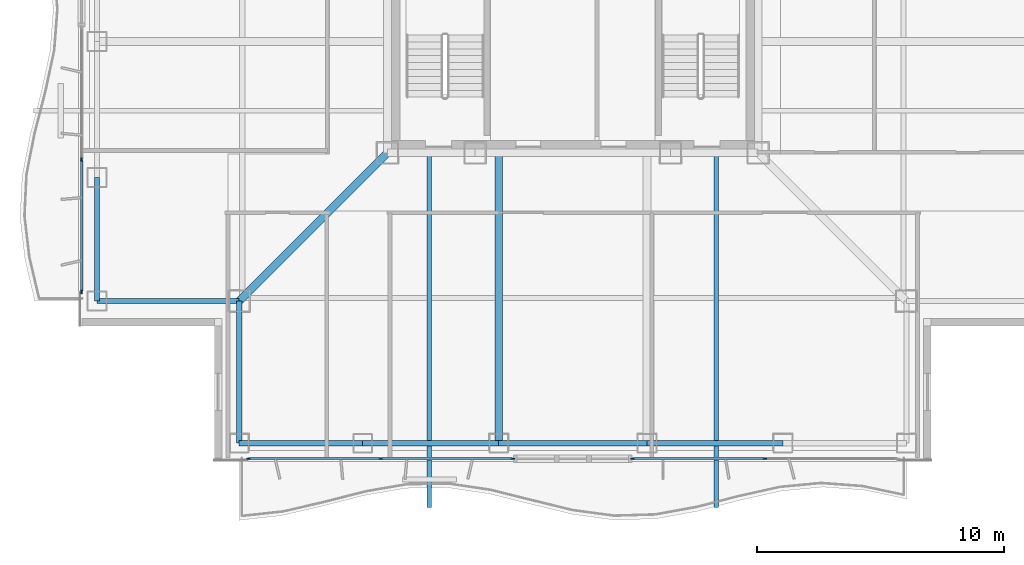
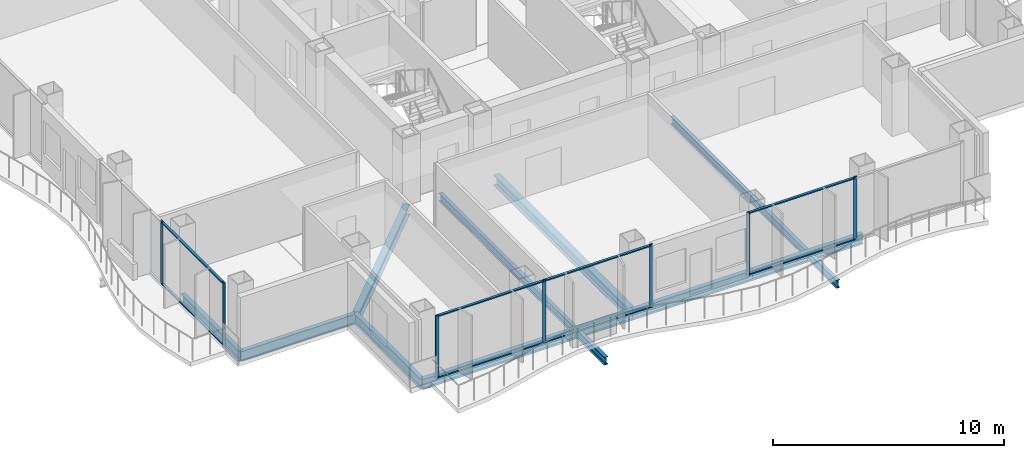
# One storey, part 2 of 16: 15 members, 11 beams, 3 elements without a shape of their own.
"""IFC4 building model written with IfcOpenShell, lengths in metres."""

from ifc_helpers import new_model, si_unit, direction, frame, origin, origin_2d, place, context, subcontext, project, spatial, rectangle, i_section, extrude, material, layer, layer_set, material_profile, profile_set, type_object, element, aggregate, save


model = new_model("IFC4")

# Units and contexts
model_context = context("Model", 3, precision=1e-05, world=origin(), true_north=direction((0.0, 1.0)))
body_context = subcontext(model_context, "Body", "Model", "MODEL_VIEW")
ifc_project = project(units=[si_unit("LENGTHUNIT", "METRE"), si_unit("AREAUNIT", "SQUARE_METRE"), si_unit("VOLUMEUNIT", "CUBIC_METRE"), si_unit("PLANEANGLEUNIT", "RADIAN"), si_unit("MASSUNIT", "GRAM", prefix="KILO")], contexts=[model_context])

# Site, building, storey
site_placement = place(None, origin())
site = spatial("IfcSite", under=ifc_project, at=site_placement, CompositionType="ELEMENT")
building_placement = place(site_placement, origin())
building = spatial("IfcBuilding", under=site, at=building_placement, Name="Trevonay Congress Spire", CompositionType="ELEMENT")
storey_placement = place(building_placement, frame((0.0, 0.0, 195.0)))
storey = spatial("IfcBuildingStorey", under=building, at=storey_placement, Name="L50", CompositionType="ELEMENT", Elevation=195.0)

# Beams
ifc_material_1 = material(Name="Steel ASTM A572 Grade 50", Category="steel")
ifc_material_profile_1 = material_profile(ifc_material_1, i_section(OverallWidth=0.31201171875, OverallDepth=0.54296875, WebThickness=0.0126953125, FlangeThickness=0.020263671875, FilletRadius=0.014892578125, at=origin_2d()), Name="W530x150")
ifc_profile_set_1 = profile_set([ifc_material_profile_1], Name="Steel ASTM A572 Grade 50")
beam_type_1 = type_object("IfcBeamType", Name="BM-GIRD-W530X150", PredefinedType="BEAM", material=ifc_profile_set_1)
beam_1_placement = place(storey_placement, frame((-7.5, -7.5, -0.511474609375), z_axis=(-0.707106781187, -0.707106781187, 0.0), x_axis=(0.707106781187, -0.707106781187, 0.0)))
element("IfcBeam", 1, at=beam_1_placement, inside=storey, type_object=beam_type_1, Name="L50 structural beam BM-L50-CDSW", PredefinedType="BEAM", context=body_context, shape_type="SweptSolid", body=[
    extrude(i_section(OverallWidth=0.31201171875, OverallDepth=0.54296875, WebThickness=0.0126953125, FlangeThickness=0.020263671875, FilletRadius=0.014892578125, at=origin_2d()), origin(), (0.0, 0.0, 1.0), 8.4853515625),
])
beam_2_placement = place(storey_placement, frame((-3.0, -7.5, -0.511474609375), z_axis=(0.0, -1.0, 0.0), x_axis=(1.0, 0.0, 0.0)))
element("IfcBeam", 2, at=beam_2_placement, inside=storey, type_object=beam_type_1, Name="L50 structural beam BM-L50-GS-M", PredefinedType="BEAM", context=body_context, shape_type="SweptSolid", body=[
    extrude(i_section(OverallWidth=0.31201171875, OverallDepth=0.54296875, WebThickness=0.0126953125, FlangeThickness=0.020263671875, FilletRadius=0.014892578125, at=origin_2d()), origin(), (0.0, 0.0, 1.0), 11.75),
])
ifc_material_profile_2 = material_profile(ifc_material_1, i_section(OverallWidth=0.2119140625, OverallDepth=0.5439453125, WebThickness=0.01318359375, FlangeThickness=0.021240234375, FilletRadius=0.014892578125, at=origin_2d()), Name="W530x123")
ifc_profile_set_2 = profile_set([ifc_material_profile_2], Name="Steel ASTM A572 Grade 50")
beam_type_2 = type_object("IfcBeamType", Name="BM-RING-W530X123", PredefinedType="BEAM", material=ifc_profile_set_2)
for number, where, z_axis, x_axis, name in (
    (3, (-13.5, -19.25, -0.511962890625), (1.0, 0.0, 0.0), (0.0, 1.0, 0.0), "L50 structural beam BM-L50-PS1"),
    (4, (-19.25, -13.5, -0.511962890625), (0.0, 1.0, 0.0), (-1.0, 0.0, 0.0), "L50 structural beam BM-L50-PW1"),
):
    element("IfcBeam", number, at=place(storey_placement, frame(where, z_axis=z_axis, x_axis=x_axis)), inside=storey, type_object=beam_type_2, Name=name, PredefinedType="BEAM", context=body_context, shape_type="SweptSolid", body=[
        extrude(i_section(OverallWidth=0.2119140625, OverallDepth=0.5439453125, WebThickness=0.01318359375, FlangeThickness=0.021240234375, FilletRadius=0.014892578125, at=origin_2d()), origin(), (0.0, 0.0, 1.0), 5.0),
    ])
beam_3_placement = place(storey_placement, frame((-8.5, -19.25, -0.511962890625), z_axis=(1.0, 0.0, 0.0), x_axis=(0.0, 1.0, 0.0)))
element("IfcBeam", 5, at=beam_3_placement, inside=storey, type_object=beam_type_2, Name="L50 structural beam BM-L50-PS2", PredefinedType="BEAM", context=body_context, shape_type="SweptSolid", body=[
    extrude(i_section(OverallWidth=0.2119140625, OverallDepth=0.5439453125, WebThickness=0.01318359375, FlangeThickness=0.021240234375, FilletRadius=0.014892578125, at=origin_2d()), origin(), (0.0, 0.0, 1.0), 5.5),
])
beam_4_placement = place(storey_placement, frame((-3.0, -19.25, -0.511962890625), z_axis=(1.0, 0.0, 0.0), x_axis=(0.0, 1.0, 0.0)))
element("IfcBeam", 6, at=beam_4_placement, inside=storey, type_object=beam_type_2, Name="L50 structural beam BM-L50-PS3", PredefinedType="BEAM", context=body_context, shape_type="SweptSolid", body=[
    extrude(i_section(OverallWidth=0.2119140625, OverallDepth=0.5439453125, WebThickness=0.01318359375, FlangeThickness=0.021240234375, FilletRadius=0.014892578125, at=origin_2d()), origin(), (0.0, 0.0, 1.0), 6.0),
])
beam_5_placement = place(storey_placement, frame((3.0, -19.25, -0.511962890625), z_axis=(1.0, 0.0, 0.0), x_axis=(0.0, 1.0, 0.0)))
element("IfcBeam", 7, at=beam_5_placement, inside=storey, type_object=beam_type_2, Name="L50 structural beam BM-L50-PS4", PredefinedType="BEAM", context=body_context, shape_type="SweptSolid", body=[
    extrude(i_section(OverallWidth=0.2119140625, OverallDepth=0.5439453125, WebThickness=0.01318359375, FlangeThickness=0.021240234375, FilletRadius=0.014892578125, at=origin_2d()), origin(), (0.0, 0.0, 1.0), 5.5),
])
for number, where, z_axis, x_axis, name in (
    (8, (-13.5, -19.25, -0.511962890625), (0.0, 1.0, 0.0), (-1.0, 0.0, 0.0), "L50 structural beam BM-L50-N1SW"),
    (9, (-19.25, -13.5, -0.511962890625), (1.0, 0.0, 0.0), (0.0, 1.0, 0.0), "L50 structural beam BM-L50-N2SW"),
):
    element("IfcBeam", number, at=place(storey_placement, frame(where, z_axis=z_axis, x_axis=x_axis)), inside=storey, type_object=beam_type_2, Name=name, PredefinedType="BEAM", context=body_context, shape_type="SweptSolid", body=[
        extrude(i_section(OverallWidth=0.2119140625, OverallDepth=0.5439453125, WebThickness=0.01318359375, FlangeThickness=0.021240234375, FilletRadius=0.014892578125, at=origin_2d()), origin(), (0.0, 0.0, 1.0), 5.75),
    ])
ifc_material_profile_3 = material_profile(ifc_material_1, i_section(OverallWidth=0.180908203125, OverallDepth=0.4169921875, WebThickness=0.010986328125, FlangeThickness=0.018310546875, FilletRadius=0.012939453125, at=origin_2d()), Name="W410x85")
ifc_profile_set_3 = profile_set([ifc_material_profile_3], Name="Steel ASTM A572 Grade 50")
beam_type_3 = type_object("IfcBeamType", Name="BM-WAV-LOOKOUT", PredefinedType="BEAM", material=ifc_profile_set_3)
for number, where, z_axis, x_axis, name in (
    (10, (-5.800048828125, -7.5, -0.448486328125), (0.0, -1.0, 0.0), (1.0, 0.0, 0.0), "L50 structural beam WLK-L50-S1"),
    (11, (5.800048828125, -7.5, -0.448486328125), (0.0, -1.0, 0.0), (1.0, 0.0, 0.0), "L50 structural beam WLK-L50-S2"),
):
    element("IfcBeam", number, at=place(storey_placement, frame(where, z_axis=z_axis, x_axis=x_axis)), inside=storey, type_object=beam_type_3, Name=name, PredefinedType="BEAM", context=body_context, shape_type="SweptSolid", body=[
        extrude(i_section(OverallWidth=0.180908203125, OverallDepth=0.4169921875, WebThickness=0.010986328125, FlangeThickness=0.018310546875, FilletRadius=0.012939453125, at=origin_2d()), origin(), (0.0, 0.0, 1.0), 14.35009765625),
    ])

# Curtain wall, members
ifc_material_2 = material(Name="Pale Anodised Aluminium EN AW-6063-T6", Category="aluminium")
ifc_layer = layer(ifc_material_2, 0.169921875, Name="Pale Anodised Aluminium EN AW-6063-T6")
ifc_layer_set = layer_set([ifc_layer], Name="Pale Anodised Aluminium EN AW-6063-T6")
curtain_wall_type = type_object("IfcCurtainWallType", Name="CW-SYS04-CORP-PALE-METAL", PredefinedType="NOTDEFINED", material=ifc_layer_set)
curtain_wall_1_placement = place(storey_placement, origin())
curtain_wall_1 = element("IfcCurtainWall", 12, at=curtain_wall_1_placement, inside=storey, type_object=curtain_wall_type, Name="L50 SA unitised curtain wall", PredefinedType="NOTDEFINED")
ifc_material_profile_4 = material_profile(ifc_material_2, rectangle(XDim=0.06005859375, YDim=0.159912109375, at=origin_2d()), Name="CW-MULLION-160-ALUMINIUM")
ifc_profile_set_4 = profile_set([ifc_material_profile_4], Name="Pale Anodised Aluminium EN AW-6063-T6")
member_type_1 = type_object("IfcMemberType", Name="CW-MULLION-160-ALUMINIUM", PredefinedType="MULLION", material=ifc_profile_set_4)
member_1_placement = place(storey_placement, frame((-13.1201171875, -19.8798828125, 0.0), z_axis=(0.0, 0.0, 1.0), x_axis=(0.0, 1.0, 0.0)))
member_1 = element("IfcMember", 13, at=member_1_placement, type_object=member_type_1, Name="CW04 mullion 1", PredefinedType="MULLION", context=body_context, shape_type="SweptSolid", body=[
    extrude(rectangle(XDim=0.06005859375, YDim=0.159912109375, at=origin_2d()), origin(), (0.0, 0.0, 1.0), 3.360107421875),
])
member_2_placement = place(storey_placement, frame((-7.77490234375, -19.8798828125, 0.0), z_axis=(0.0, 0.0, 1.0), x_axis=(0.0, 1.0, 0.0)))
member_2 = element("IfcMember", 14, at=member_2_placement, type_object=member_type_1, Name="CW04 mullion 2", PredefinedType="MULLION", context=body_context, shape_type="SweptSolid", body=[
    extrude(rectangle(XDim=0.06005859375, YDim=0.159912109375, at=origin_2d()), origin(), (0.0, 0.0, 1.0), 3.360107421875),
])
member_3_placement = place(storey_placement, frame((-2.429931640625, -19.8798828125, 0.0), z_axis=(0.0, 0.0, 1.0), x_axis=(0.0, 1.0, 0.0)))
member_3 = element("IfcMember", 15, at=member_3_placement, type_object=member_type_1, Name="CW04 mullion 3", PredefinedType="MULLION", context=body_context, shape_type="SweptSolid", body=[
    extrude(rectangle(XDim=0.06005859375, YDim=0.159912109375, at=origin_2d()), origin(), (0.0, 0.0, 1.0), 3.360107421875),
])

curtain_wall_2_placement = place(storey_placement, origin())
curtain_wall_2 = element("IfcCurtainWall", 16, at=curtain_wall_2_placement, inside=storey, type_object=curtain_wall_type, Name="L50 SB unitised curtain wall", PredefinedType="NOTDEFINED")
member_4_placement = place(storey_placement, frame((2.429931640625, -19.8798828125, 0.0), z_axis=(0.0, 0.0, 1.0), x_axis=(0.0, 1.0, 0.0)))
member_4 = element("IfcMember", 17, at=member_4_placement, type_object=member_type_1, Name="CW04 mullion 1", PredefinedType="MULLION", context=body_context, shape_type="SweptSolid", body=[
    extrude(rectangle(XDim=0.06005859375, YDim=0.159912109375, at=origin_2d()), origin(), (0.0, 0.0, 1.0), 3.360107421875),
])
member_5_placement = place(storey_placement, frame((7.77490234375, -19.8798828125, 0.0), z_axis=(0.0, 0.0, 1.0), x_axis=(0.0, 1.0, 0.0)))
member_5 = element("IfcMember", 18, at=member_5_placement, type_object=member_type_1, Name="CW04 mullion 2", PredefinedType="MULLION", context=body_context, shape_type="SweptSolid", body=[
    extrude(rectangle(XDim=0.06005859375, YDim=0.159912109375, at=origin_2d()), origin(), (0.0, 0.0, 1.0), 3.360107421875),
])

curtain_wall_3_placement = place(storey_placement, origin())
curtain_wall_3 = element("IfcCurtainWall", 19, at=curtain_wall_3_placement, inside=storey, type_object=curtain_wall_type, Name="L50 WA unitised curtain wall", PredefinedType="NOTDEFINED")
member_6_placement = place(storey_placement, frame((-19.8798828125, -13.1201171875, 0.0), z_axis=(0.0, 0.0, 1.0), x_axis=(-1.0, 0.0, 0.0)))
member_6 = element("IfcMember", 20, at=member_6_placement, type_object=member_type_1, Name="CW04 mullion 1", PredefinedType="MULLION", context=body_context, shape_type="SweptSolid", body=[
    extrude(rectangle(XDim=0.06005859375, YDim=0.159912109375, at=origin_2d()), origin(), (0.0, 0.0, 1.0), 3.360107421875),
])
member_7_placement = place(storey_placement, frame((-19.8798828125, -7.77490234375, 0.0), z_axis=(0.0, 0.0, 1.0), x_axis=(-1.0, 0.0, 0.0)))
member_7 = element("IfcMember", 21, at=member_7_placement, type_object=member_type_1, Name="CW04 mullion 2", PredefinedType="MULLION", context=body_context, shape_type="SweptSolid", body=[
    extrude(rectangle(XDim=0.06005859375, YDim=0.159912109375, at=origin_2d()), origin(), (0.0, 0.0, 1.0), 3.360107421875),
])

# Member
ifc_material_profile_5 = material_profile(ifc_material_2, rectangle(XDim=0.1201171875, YDim=0.06005859375, at=origin_2d()), Name="CW-TRANSOM-120-ALUMINIUM")
ifc_profile_set_5 = profile_set([ifc_material_profile_5], Name="Pale Anodised Aluminium EN AW-6063-T6")
member_type_2 = type_object("IfcMemberType", Name="CW-TRANSOM-120-ALUMINIUM", PredefinedType="USERDEFINED", material=ifc_profile_set_5)
member_8_placement = place(storey_placement, frame((-13.090087890625, -19.8798828125, 0.06005859375), z_axis=(1.0, 0.0, 0.0), x_axis=(0.0, 1.0, 0.0)))
member_8 = element("IfcMember", 22, at=member_8_placement, type_object=member_type_2, Name="CW04 transom 1.1", ObjectType="TRANSOM", PredefinedType="USERDEFINED", context=body_context, shape_type="SweptSolid", body=[
    extrude(rectangle(XDim=0.1201171875, YDim=0.06005859375, at=origin_2d()), origin(), (0.0, 0.0, 1.0), 5.28515625),
])

member_9_placement = place(storey_placement, frame((-13.090087890625, -19.8798828125, 3.300048828125), z_axis=(1.0, 0.0, 0.0), x_axis=(0.0, 1.0, 0.0)))
member_9 = element("IfcMember", 23, at=member_9_placement, type_object=member_type_2, Name="CW04 transom 1.2", ObjectType="TRANSOM", PredefinedType="USERDEFINED", context=body_context, shape_type="SweptSolid", body=[
    extrude(rectangle(XDim=0.1201171875, YDim=0.06005859375, at=origin_2d()), origin(), (0.0, 0.0, 1.0), 5.28515625),
])

member_10_placement = place(storey_placement, frame((-7.7451171875, -19.8798828125, 0.06005859375), z_axis=(1.0, 0.0, 0.0), x_axis=(0.0, 1.0, 0.0)))
member_10 = element("IfcMember", 24, at=member_10_placement, type_object=member_type_2, Name="CW04 transom 2.1", ObjectType="TRANSOM", PredefinedType="USERDEFINED", context=body_context, shape_type="SweptSolid", body=[
    extrude(rectangle(XDim=0.1201171875, YDim=0.06005859375, at=origin_2d()), origin(), (0.0, 0.0, 1.0), 5.28515625),
])

member_11_placement = place(storey_placement, frame((-7.7451171875, -19.8798828125, 3.300048828125), z_axis=(1.0, 0.0, 0.0), x_axis=(0.0, 1.0, 0.0)))
member_11 = element("IfcMember", 25, at=member_11_placement, type_object=member_type_2, Name="CW04 transom 2.2", ObjectType="TRANSOM", PredefinedType="USERDEFINED", context=body_context, shape_type="SweptSolid", body=[
    extrude(rectangle(XDim=0.1201171875, YDim=0.06005859375, at=origin_2d()), origin(), (0.0, 0.0, 1.0), 5.28515625),
])

aggregate(curtain_wall_1, [member_1, member_2, member_3, member_8, member_9, member_10, member_11])

member_12_placement = place(storey_placement, frame((2.4599609375, -19.8798828125, 0.06005859375), z_axis=(1.0, 0.0, 0.0), x_axis=(0.0, 1.0, 0.0)))
member_12 = element("IfcMember", 26, at=member_12_placement, type_object=member_type_2, Name="CW04 transom 1.1", ObjectType="TRANSOM", PredefinedType="USERDEFINED", context=body_context, shape_type="SweptSolid", body=[
    extrude(rectangle(XDim=0.1201171875, YDim=0.06005859375, at=origin_2d()), origin(), (0.0, 0.0, 1.0), 5.28515625),
])

member_13_placement = place(storey_placement, frame((2.4599609375, -19.8798828125, 3.300048828125), z_axis=(1.0, 0.0, 0.0), x_axis=(0.0, 1.0, 0.0)))
member_13 = element("IfcMember", 27, at=member_13_placement, type_object=member_type_2, Name="CW04 transom 1.2", ObjectType="TRANSOM", PredefinedType="USERDEFINED", context=body_context, shape_type="SweptSolid", body=[
    extrude(rectangle(XDim=0.1201171875, YDim=0.06005859375, at=origin_2d()), origin(), (0.0, 0.0, 1.0), 5.28515625),
])

aggregate(curtain_wall_2, [member_4, member_5, member_12, member_13])

member_14_placement = place(storey_placement, frame((-19.8798828125, -13.090087890625, 0.06005859375), z_axis=(0.0, 1.0, 0.0), x_axis=(-1.0, 0.0, 0.0)))
member_14 = element("IfcMember", 28, at=member_14_placement, type_object=member_type_2, Name="CW04 transom 1.1", ObjectType="TRANSOM", PredefinedType="USERDEFINED", context=body_context, shape_type="SweptSolid", body=[
    extrude(rectangle(XDim=0.1201171875, YDim=0.06005859375, at=origin_2d()), origin(), (0.0, 0.0, 1.0), 5.28515625),
])

member_15_placement = place(storey_placement, frame((-19.8798828125, -13.090087890625, 3.300048828125), z_axis=(0.0, 1.0, 0.0), x_axis=(-1.0, 0.0, 0.0)))
member_15 = element("IfcMember", 29, at=member_15_placement, type_object=member_type_2, Name="CW04 transom 1.2", ObjectType="TRANSOM", PredefinedType="USERDEFINED", context=body_context, shape_type="SweptSolid", body=[
    extrude(rectangle(XDim=0.1201171875, YDim=0.06005859375, at=origin_2d()), origin(), (0.0, 0.0, 1.0), 5.28515625),
])

aggregate(curtain_wall_3, [member_6, member_7, member_14, member_15])

save(model, "model.ifc")
